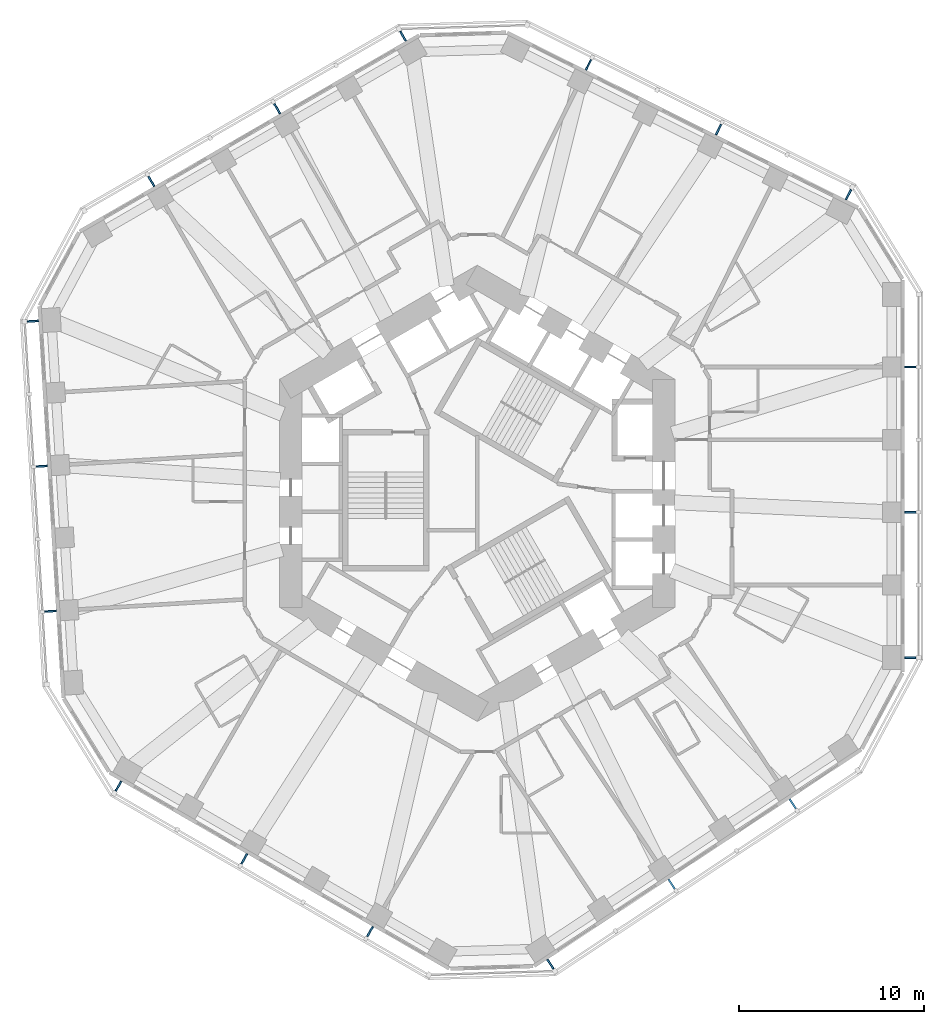
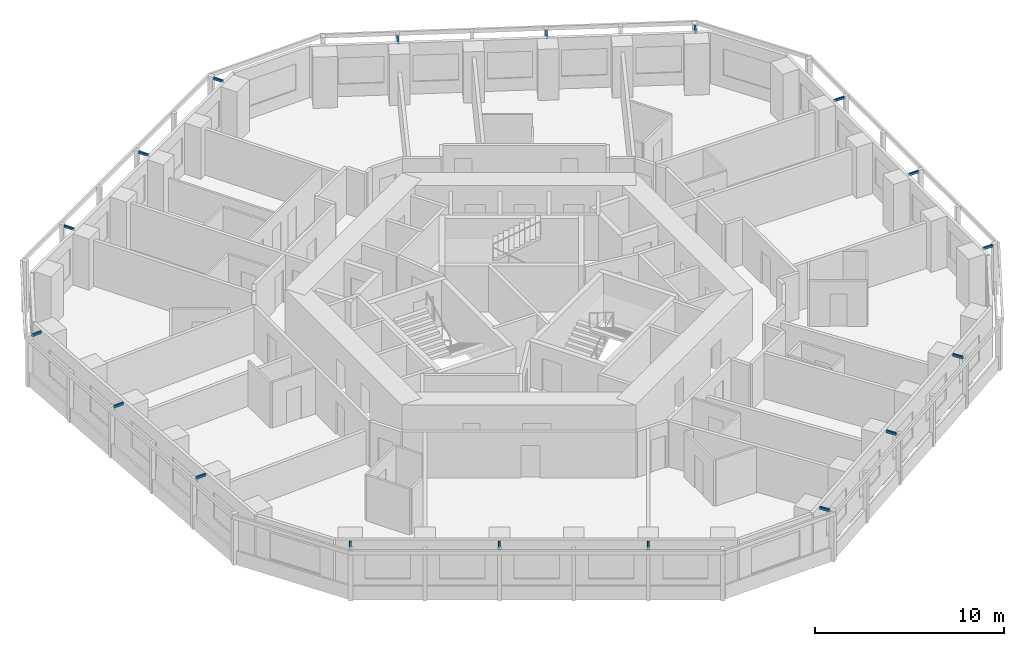
# One storey, part 11 of 12: 18 discrete accessories.
"""IFC4 building model written with IfcOpenShell, lengths in metres."""

from ifc_helpers import new_model, si_unit, direction, frame, origin, origin_2d, place, context, subcontext, project, spatial, rectangle, extrude, material, type_object, element, save


model = new_model("IFC4")

# Units and contexts
model_context = context("Model", 3, precision=1e-05, world=origin(), true_north=direction((0.0, 1.0)))
body_context = subcontext(model_context, "Body", "Model", "MODEL_VIEW")
ifc_project = project(units=[si_unit("LENGTHUNIT", "METRE"), si_unit("AREAUNIT", "SQUARE_METRE"), si_unit("VOLUMEUNIT", "CUBIC_METRE"), si_unit("PLANEANGLEUNIT", "RADIAN"), si_unit("MASSUNIT", "GRAM", prefix="KILO")], contexts=[model_context])

# Site, building, storey
site_placement = place(None, origin())
site = spatial("IfcSite", under=ifc_project, at=site_placement, CompositionType="ELEMENT")
building_placement = place(site_placement, origin())
building = spatial("IfcBuilding", under=site, at=building_placement, Name="Vanh Sen Convention Tower", CompositionType="ELEMENT")
storey_placement = place(building_placement, frame((0.0, 0.0, 116.60009765625)))
storey = spatial("IfcBuildingStorey", under=building, at=storey_placement, Name="L28", CompositionType="ELEMENT", Elevation=116.60009765625)

# Discrete accessories
ifc_material = material(Name="Steel S355", Category="steel")
discrete_accessory_type = type_object("IfcDiscreteAccessoryType", Name="Fin bracket 100 x 150", PredefinedType="BRACKET", material=ifc_material)
discrete_accessory_1_placement = place(storey_placement, frame((23.449951171875, -8.899169921875, 3.099853515625), z_axis=(0.0, 0.0, 1.0), x_axis=(1.0, 0.0, 0.0)))
element("IfcDiscreteAccessory", 1, at=discrete_accessory_1_placement, inside=storey, type_object=discrete_accessory_type, Name="Fin bracket E-1 L28", PredefinedType="BRACKET", context=body_context, shape_type="SweptSolid", body=[
    extrude(rectangle(XDim=0.60009765625, YDim=0.10009765625, at=origin_2d()), origin(), (0.0, 0.0, 1.0), 0.14990234375),
])
for number, where, z_axis, x_axis, name in (
    (2, (23.46240234375, -1.030029296875, 3.099853515625), (0.0, 0.0, 1.0), (1.0, 0.0, 0.0), "Fin bracket E-3 L28"),
    (3, (23.46240234375, 6.839111328125, 3.099853515625), (0.0, 0.0, 1.0), (1.0, 0.0, 0.0), "Fin bracket E-5 L28"),
):
    element("IfcDiscreteAccessory", number, at=place(storey_placement, frame(where, z_axis=z_axis, x_axis=x_axis)), inside=storey, type_object=discrete_accessory_type, Name=name, PredefinedType="BRACKET", context=body_context, shape_type="SweptSolid", body=[
        extrude(rectangle(XDim=0.625, YDim=0.10009765625, at=origin_2d()), origin(), (0.0, 0.0, 1.0), 0.14990234375),
    ])
discrete_accessory_2_placement = place(storey_placement, frame((20.10498046875, 16.178955078125, 3.099853515625), z_axis=(0.0, 0.0, 1.0), x_axis=(0.44619781311, 0.894934361602, 0.0)))
element("IfcDiscreteAccessory", 4, at=discrete_accessory_2_placement, inside=storey, type_object=discrete_accessory_type, Name="Fin bracket NE-1 L28", PredefinedType="BRACKET", context=body_context, shape_type="SweptSolid", body=[
    extrude(rectangle(XDim=0.60009765625, YDim=0.10009765625, at=origin_2d()), origin(), (0.0, 0.0, 1.0), 0.14990234375),
])
for number, where, z_axis, x_axis, name in (
    (5, (13.068359375, 19.701416015625, 3.099853515625), (0.0, 0.0, 1.0), (0.44619781311, 0.894934361602, 0.0), "Fin bracket NE-3 L28"),
    (6, (6.02587890625, 23.212646484375, 3.099853515625), (0.0, 0.0, 1.0), (0.44619781311, 0.894934361602, 0.0), "Fin bracket NE-5 L28"),
):
    element("IfcDiscreteAccessory", number, at=place(storey_placement, frame(where, z_axis=z_axis, x_axis=x_axis)), inside=storey, type_object=discrete_accessory_type, Name=name, PredefinedType="BRACKET", context=body_context, shape_type="SweptSolid", body=[
        extrude(rectangle(XDim=0.625, YDim=0.10009765625, at=origin_2d()), origin(), (0.0, 0.0, 1.0), 0.14990234375),
    ])
discrete_accessory_3_placement = place(storey_placement, frame((-4.01806640625, 24.7578125, 3.099853515625), z_axis=(0.0, 0.0, 1.0), x_axis=(-0.5, 0.866025403784, 0.0)))
element("IfcDiscreteAccessory", 7, at=discrete_accessory_3_placement, inside=storey, type_object=discrete_accessory_type, Name="Fin bracket NW-1 L28", PredefinedType="BRACKET", context=body_context, shape_type="SweptSolid", body=[
    extrude(rectangle(XDim=0.60009765625, YDim=0.10009765625, at=origin_2d()), origin(), (0.0, 0.0, 1.0), 0.14990234375),
])
for number, where, z_axis, x_axis, name in (
    (8, (-10.839111328125, 20.834228515625, 3.099853515625), (0.0, 0.0, 1.0), (-0.5, 0.866025403784, 0.0), "Fin bracket NW-3 L28"),
    (9, (-17.654296875, 16.899658203125, 3.099853515625), (0.0, 0.0, 1.0), (-0.5, 0.866025403784, 0.0), "Fin bracket NW-5 L28"),
):
    element("IfcDiscreteAccessory", number, at=place(storey_placement, frame(where, z_axis=z_axis, x_axis=x_axis)), inside=storey, type_object=discrete_accessory_type, Name=name, PredefinedType="BRACKET", context=body_context, shape_type="SweptSolid", body=[
        extrude(rectangle(XDim=0.625, YDim=0.10009765625, at=origin_2d()), origin(), (0.0, 0.0, 1.0), 0.14990234375),
    ])
discrete_accessory_4_placement = place(storey_placement, frame((-24.06396484375, 9.322021484375, 3.099853515625), z_axis=(0.0, 0.0, 1.0), x_axis=(-0.998134798422, -0.061048539535, 0.0)))
element("IfcDiscreteAccessory", 10, at=discrete_accessory_4_placement, inside=storey, type_object=discrete_accessory_type, Name="Fin bracket W-1 L28", PredefinedType="BRACKET", context=body_context, shape_type="SweptSolid", body=[
    extrude(rectangle(XDim=0.60009765625, YDim=0.10009765625, at=origin_2d()), origin(), (0.0, 0.0, 1.0), 0.14990234375),
])
for number, where, z_axis, x_axis, name in (
    (11, (-23.595947265625, 1.466796875, 3.099853515625), (0.0, 0.0, 1.0), (-0.998134798422, -0.061048539535, 0.0), "Fin bracket W-3 L28"),
    (12, (-23.115478515625, -6.3876953125, 3.099853515625), (0.0, 0.0, 1.0), (-0.998134798422, -0.061048539535, 0.0), "Fin bracket W-5 L28"),
):
    element("IfcDiscreteAccessory", number, at=place(storey_placement, frame(where, z_axis=z_axis, x_axis=x_axis)), inside=storey, type_object=discrete_accessory_type, Name=name, PredefinedType="BRACKET", context=body_context, shape_type="SweptSolid", body=[
        extrude(rectangle(XDim=0.625, YDim=0.10009765625, at=origin_2d()), origin(), (0.0, 0.0, 1.0), 0.14990234375),
    ])
discrete_accessory_5_placement = place(storey_placement, frame((-19.431884765625, -15.858642578125, 3.099853515625), z_axis=(0.0, 0.0, 1.0), x_axis=(-0.5, -0.866025403784, 0.0)))
element("IfcDiscreteAccessory", 13, at=discrete_accessory_5_placement, inside=storey, type_object=discrete_accessory_type, Name="Fin bracket SW-1 L28", PredefinedType="BRACKET", context=body_context, shape_type="SweptSolid", body=[
    extrude(rectangle(XDim=0.60009765625, YDim=0.10009765625, at=origin_2d()), origin(), (0.0, 0.0, 1.0), 0.14990234375),
])
for number, where, z_axis, x_axis, name in (
    (14, (-12.623291015625, -19.80419921875, 3.099853515625), (0.0, 0.0, 1.0), (-0.5, -0.866025403784, 0.0), "Fin bracket SW-3 L28"),
    (15, (-5.808349609375, -23.73876953125, 3.099853515625), (0.0, 0.0, 1.0), (-0.5, -0.866025403784, 0.0), "Fin bracket SW-5 L28"),
):
    element("IfcDiscreteAccessory", number, at=place(storey_placement, frame(where, z_axis=z_axis, x_axis=x_axis)), inside=storey, type_object=discrete_accessory_type, Name=name, PredefinedType="BRACKET", context=body_context, shape_type="SweptSolid", body=[
        extrude(rectangle(XDim=0.625, YDim=0.10009765625, at=origin_2d()), origin(), (0.0, 0.0, 1.0), 0.14990234375),
    ])
discrete_accessory_6_placement = place(storey_placement, frame((3.958740234375, -25.5009765625, 3.099853515625), z_axis=(0.0, 0.0, 1.0), x_axis=(0.551936985312, -0.833885822067, 0.0)))
element("IfcDiscreteAccessory", 16, at=discrete_accessory_6_placement, inside=storey, type_object=discrete_accessory_type, Name="Fin bracket SE-1 L28", PredefinedType="BRACKET", context=body_context, shape_type="SweptSolid", body=[
    extrude(rectangle(XDim=0.60009765625, YDim=0.10009765625, at=origin_2d()), origin(), (0.0, 0.0, 1.0), 0.14990234375),
])
for number, where, z_axis, x_axis, name in (
    (17, (10.527587890625, -21.168212890625, 3.099853515625), (0.0, 0.0, 1.0), (0.551936985312, -0.833885822067, 0.0), "Fin bracket SE-3 L28"),
    (18, (17.089599609375, -16.824951171875, 3.099853515625), (0.0, 0.0, 1.0), (0.551936985312, -0.833885822067, 0.0), "Fin bracket SE-5 L28"),
):
    element("IfcDiscreteAccessory", number, at=place(storey_placement, frame(where, z_axis=z_axis, x_axis=x_axis)), inside=storey, type_object=discrete_accessory_type, Name=name, PredefinedType="BRACKET", context=body_context, shape_type="SweptSolid", body=[
        extrude(rectangle(XDim=0.625, YDim=0.10009765625, at=origin_2d()), origin(), (0.0, 0.0, 1.0), 0.14990234375),
    ])

save(model, "model.ifc")
